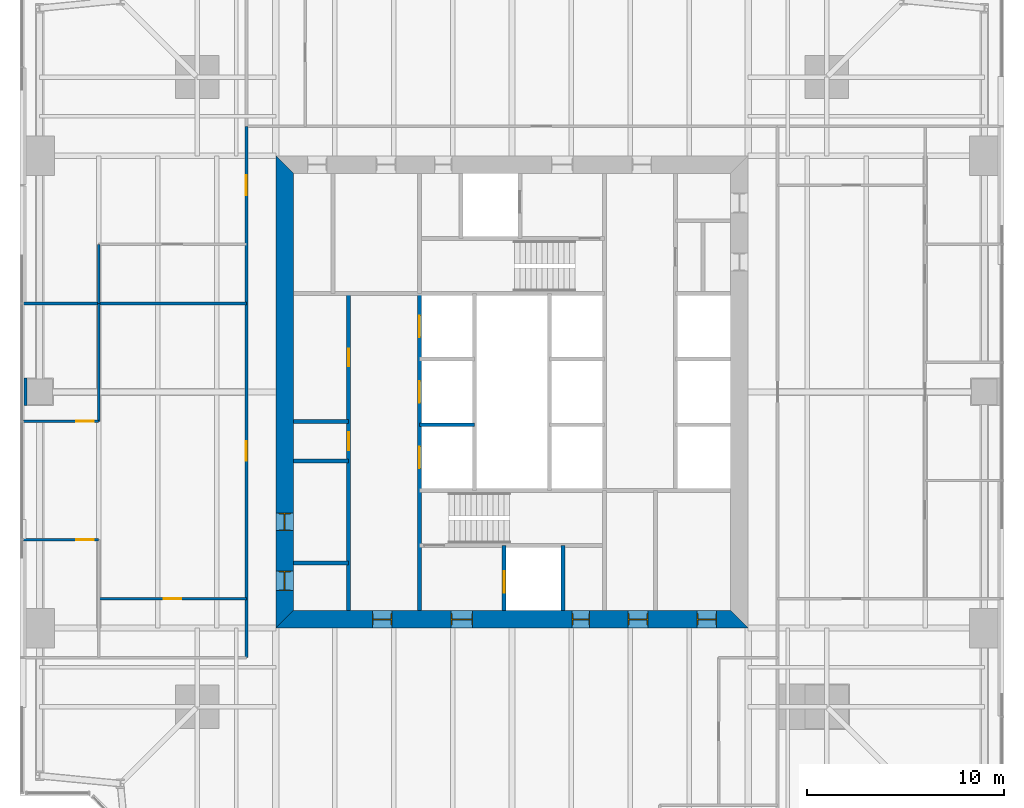
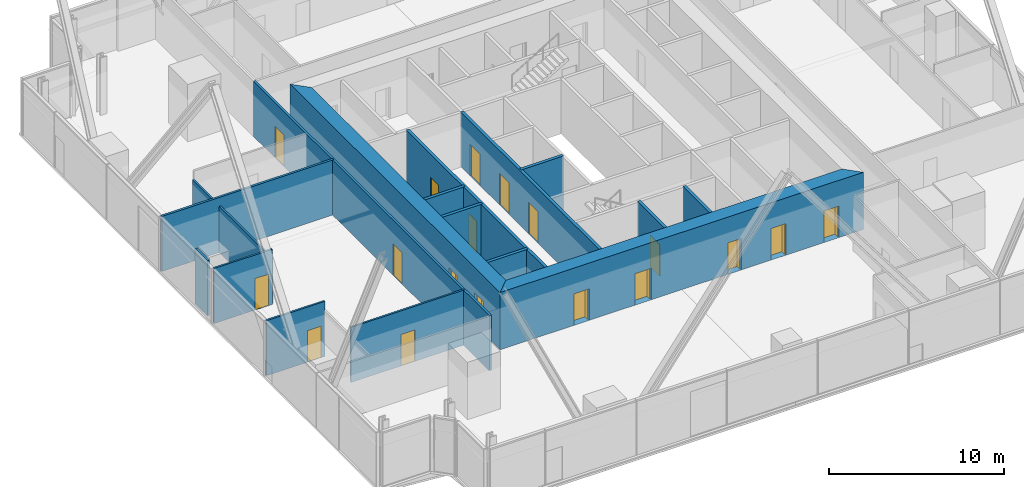
# One storey, part 9 of 14: 18 doors, 18 walls, 18 openings.
"""IFC4 building model written with IfcOpenShell, lengths in metres."""

from ifc_helpers import new_model, si_unit, direction, frame, frame_2d, origin, place, context, subcontext, project, spatial, polyline, rectangle, outline, extrude, material, layer, layer_set, type_object, element, fill, save


model = new_model("IFC4")

# Units and contexts
model_context = context("Model", 3, precision=1e-05, world=origin(), true_north=direction((0.0, 1.0)))
body_context = subcontext(model_context, "Body", "Model", "MODEL_VIEW")
ifc_project = project(units=[si_unit("LENGTHUNIT", "METRE"), si_unit("AREAUNIT", "SQUARE_METRE"), si_unit("VOLUMEUNIT", "CUBIC_METRE"), si_unit("PLANEANGLEUNIT", "RADIAN"), si_unit("MASSUNIT", "GRAM", prefix="KILO")], contexts=[model_context])

# Site, building, storey
site_placement = place(None, origin())
site = spatial("IfcSite", under=ifc_project, at=site_placement, CompositionType="ELEMENT")
building_placement = place(site_placement, origin())
building = spatial("IfcBuilding", under=site, at=building_placement, Name="Fenwick Lantern Interchange", CompositionType="ELEMENT")
storey_placement = place(building_placement, frame((0.0, 0.0, 130.39990234375)))
storey = spatial("IfcBuildingStorey", under=building, at=storey_placement, Name="L30", CompositionType="ELEMENT", Elevation=130.39990234375)

# Wall
ifc_material_1 = material(Name="Fire-rated gypsum board encasement on steel studs, 2 hour", Category="steel")
ifc_layer_1 = layer(ifc_material_1, 1.39990234375)
ifc_layer_set_1 = layer_set([ifc_layer_1], Name="COLUMN PIER 1400")
wall_type_1 = type_object("IfcWallType", Name="COLUMN PIER 1400", PredefinedType="PARTITIONING", material=ifc_layer_set_1)
wall_1_placement = place(storey_placement, frame((0.199951171875, 25.0, 0.0), z_axis=(0.0, 0.0, 1.0), x_axis=(1.0, 0.0, 0.0)))
element("IfcWall", 1, at=wall_1_placement, inside=storey, type_object=wall_type_1, Name="L30/W/PIER/CW3", PredefinedType="PARTITIONING", context=body_context, shape_type="SweptSolid", body=[
    extrude(rectangle(XDim=0.150146484375, YDim=1.39990234375, at=frame_2d((0.0751953125, 0.0))), origin(), (0.0, 0.0, 1.0), 3.85009765625),
])

# Wall, openings, doors
ifc_material_2 = material(Name="Concrete masonry ASTM C90 Grade N", Category="masonry")
ifc_layer_2 = layer(ifc_material_2, 0.199951171875)
ifc_layer_set_2 = layer_set([ifc_layer_2], Name="Concrete masonry ASTM C90 Grade N")
wall_type_2 = type_object("IfcWallType", Name="CORE PARTITION 200", PredefinedType="PARTITIONING", material=ifc_layer_set_2)
wall_2_placement = place(storey_placement, frame((16.699951171875, 13.89990234375, 0.0), z_axis=(0.0, 0.0, 1.0), x_axis=(0.0, 1.0, 0.0)))
wall_2 = element("IfcWall", 2, at=wall_2_placement, inside=storey, type_object=wall_type_2, Name="L30/W/CORES/a", PredefinedType="PARTITIONING", context=body_context, shape_type="SweptSolid", body=[
    extrude(rectangle(XDim=16.10009765625, YDim=0.199951171875, at=frame_2d((8.050048828125, 0.0))), origin(), (0.0, 0.0, 1.0), 3.800048828125),
])
opening_1_placement = place(wall_2_placement, frame((8.14990234375, 0.0, 0.0)))
opening_1 = element("IfcOpeningElement", 3, at=opening_1_placement, cuts=wall_2, Name="Opening L30-D009", PredefinedType="OPENING", context=body_context, shape_type="SweptSolid", body=[
    extrude(rectangle(XDim=0.89990234375, YDim=2.199951171875, at=frame_2d((0.449951171875, 1.10009765625))), frame((0.0, 0.10986328125, 0.0), z_axis=(0.0, -1.0, 0.0), x_axis=(1.0, 0.0, 0.0)), (0.0, 0.0, 1.0), 0.219970703125),
])
opening_2_placement = place(wall_2_placement, frame((12.39990234375, 0.0, 0.0)))
opening_2 = element("IfcOpeningElement", 4, at=opening_2_placement, cuts=wall_2, Name="Opening L30-D010", PredefinedType="OPENING", context=body_context, shape_type="SweptSolid", body=[
    extrude(rectangle(XDim=0.89990234375, YDim=2.199951171875, at=frame_2d((0.449951171875, 1.10009765625))), frame((0.0, 0.10986328125, 0.0), z_axis=(0.0, -1.0, 0.0), x_axis=(1.0, 0.0, 0.0)), (0.0, 0.0, 1.0), 0.219970703125),
])
ifc_material_3 = material(Name="Steel door and frame", Category="steel")
door_type_1 = type_object("IfcDoorType", Name="SERVICE DOOR 900 X 2200", OperationType="SINGLE_SWING_LEFT", PredefinedType="DOOR", material=ifc_material_3)
door_1_placement = place(opening_1_placement, origin())
door_1 = element("IfcDoor", 5, at=door_1_placement, inside=storey, type_object=door_type_1, Name="Service door", OperationType="SINGLE_SWING_LEFT", OverallHeight=2.199951171875, OverallWidth=0.89990234375, PredefinedType="DOOR", context=body_context, shape_type="SweptSolid", body=[
    extrude(rectangle(XDim=0.89990234375, YDim=2.199951171875, at=frame_2d((0.449951171875, 1.10009765625))), frame((0.0, 0.02490234375, 0.0), z_axis=(0.0, -1.0, 0.0), x_axis=(1.0, 0.0, 0.0)), (0.0, 0.0, 1.0), 0.050048828125),
])
fill(opening_1, door_1)
door_2_placement = place(opening_2_placement, origin())
door_2 = element("IfcDoor", 6, at=door_2_placement, inside=storey, type_object=door_type_1, Name="Service door", OperationType="SINGLE_SWING_LEFT", OverallHeight=2.199951171875, OverallWidth=0.89990234375, PredefinedType="DOOR", context=body_context, shape_type="SweptSolid", body=[
    extrude(rectangle(XDim=0.89990234375, YDim=2.199951171875, at=frame_2d((0.449951171875, 1.10009765625))), frame((0.0, 0.02490234375, 0.0), z_axis=(0.0, -1.0, 0.0), x_axis=(1.0, 0.0, 0.0)), (0.0, 0.0, 1.0), 0.050048828125),
])
fill(opening_2, door_2)

# Wall
wall_3_placement = place(storey_placement, frame((20.300048828125, 23.333251953125, 0.0), z_axis=(0.0, 0.0, 1.0), x_axis=(1.0, 0.0, 0.0)))
element("IfcWall", 7, at=wall_3_placement, inside=storey, type_object=wall_type_2, Name="L30/W/CORES/e1", PredefinedType="PARTITIONING", context=body_context, shape_type="SweptSolid", body=[
    extrude(rectangle(XDim=2.800048828125, YDim=0.199951171875, at=frame_2d((1.39990234375, 0.0))), origin(), (0.0, 0.0, 1.0), 3.800048828125),
])

# Wall, opening, door
wall_4_placement = place(storey_placement, frame((24.60009765625, 13.89990234375, 0.0), z_axis=(0.0, 0.0, 1.0), x_axis=(0.0, 1.0, 0.0)))
wall_4 = element("IfcWall", 8, at=wall_4_placement, inside=storey, type_object=wall_type_2, Name="L30/W/CORES/h1", PredefinedType="PARTITIONING", context=body_context, shape_type="SweptSolid", body=[
    extrude(rectangle(XDim=3.300048828125, YDim=0.199951171875, at=frame_2d((1.64990234375, 0.0))), origin(), (0.0, 0.0, 1.0), 3.800048828125),
])
opening_3_placement = place(wall_4_placement, frame((0.89990234375, 0.0, 0.0)))
opening_3 = element("IfcOpeningElement", 9, at=opening_3_placement, cuts=wall_4, Name="Opening LD-FL1", PredefinedType="OPENING", context=body_context, shape_type="SweptSolid", body=[
    extrude(rectangle(XDim=1.10009765625, YDim=2.199951171875, at=frame_2d((0.550048828125, 1.10009765625))), frame((0.0, 0.10986328125, 0.0), z_axis=(0.0, -1.0, 0.0), x_axis=(1.0, 0.0, 0.0)), (0.0, 0.0, 1.0), 0.219970703125),
])
door_type_2 = type_object("IfcDoorType", Name="LIFT LANDING DOOR 1100 X 2200", OperationType="DOUBLE_DOOR_SLIDING", PredefinedType="DOOR", material=ifc_material_3)
door_3_placement = place(opening_3_placement, origin())
door_3 = element("IfcDoor", 10, at=door_3_placement, inside=storey, type_object=door_type_2, Name="Lift landing door FL1", OperationType="DOUBLE_DOOR_SLIDING", OverallHeight=2.199951171875, OverallWidth=1.10009765625, PredefinedType="DOOR", context=body_context, shape_type="SweptSolid", body=[
    extrude(rectangle(XDim=1.10009765625, YDim=2.199951171875, at=frame_2d((0.550048828125, 1.10009765625))), frame((0.0, 0.02490234375, 0.0), z_axis=(0.0, -1.0, 0.0), x_axis=(1.0, 0.0, 0.0)), (0.0, 0.0, 1.0), 0.050048828125),
])
fill(opening_3, door_3)

# Walls
wall_5_placement = place(storey_placement, frame((27.60009765625, 13.89990234375, 0.0), z_axis=(0.0, 0.0, 1.0), x_axis=(0.0, 1.0, 0.0)))
element("IfcWall", 11, at=wall_5_placement, inside=storey, type_object=wall_type_2, Name="L30/W/CORES/h2", PredefinedType="PARTITIONING", context=body_context, shape_type="SweptSolid", body=[
    extrude(rectangle(XDim=3.300048828125, YDim=0.199951171875, at=frame_2d((1.64990234375, 0.0))), origin(), (0.0, 0.0, 1.0), 3.800048828125),
])
for number, where, z_axis, x_axis, name in (
    (12, (13.89990234375, 16.300048828125, 0.0), (0.0, 0.0, 1.0), (1.0, 0.0, 0.0), "L30/W/CORES/p1"),
    (13, (13.89990234375, 21.5, 0.0), (0.0, 0.0, 1.0), (1.0, 0.0, 0.0), "L30/W/CORES/p2"),
    (14, (13.89990234375, 23.5, 0.0), (0.0, 0.0, 1.0), (1.0, 0.0, 0.0), "L30/W/CORES/p3"),
):
    element("IfcWall", number, at=place(storey_placement, frame(where, z_axis=z_axis, x_axis=x_axis)), inside=storey, type_object=wall_type_2, Name=name, PredefinedType="PARTITIONING", context=body_context, shape_type="SweptSolid", body=[
        extrude(rectangle(XDim=2.800048828125, YDim=0.199951171875, at=frame_2d((1.39990234375, 0.0))), origin(), (0.0, 0.0, 1.0), 3.800048828125),
    ])

# Wall, openings, doors
ifc_material_4 = material(Name="Concrete f'c 70 MPa", Category="concrete")
ifc_layer_3 = layer(ifc_material_4, 0.89990234375)
ifc_layer_set_3 = layer_set([ifc_layer_3], Name="CORE WALL 900")
wall_type_3 = type_object("IfcWallType", Name="CORE WALL 900", PredefinedType="SHEAR", material=ifc_layer_set_3)
wall_6_placement = place(storey_placement, frame((13.0, 13.449951171875, 0.0), z_axis=(0.0, 0.0, 1.0), x_axis=(1.0, 0.0, 0.0)))
wall_6 = element("IfcWall", 15, at=wall_6_placement, inside=storey, type_object=wall_type_3, Name="L30/CORE/S", PredefinedType="SHEAR", context=body_context, shape_type="SweptSolid", body=[
    extrude(outline(polyline([(0.0, -0.449951171875), (24.0, -0.449951171875), (23.10009765625, 0.449951171875), (0.89990234375, 0.449951171875), (0.0, -0.449951171875)])), origin(), (0.0, 0.0, 1.0), 4.0),
])
opening_4_placement = place(wall_6_placement, frame((4.89990234375, 0.0, 0.0)))
opening_4 = element("IfcOpeningElement", 16, at=opening_4_placement, cuts=wall_6, Name="Opening L30-D001", PredefinedType="OPENING", context=body_context, shape_type="SweptSolid", body=[
    extrude(rectangle(XDim=1.0, YDim=2.199951171875, at=frame_2d((0.5, 1.10009765625))), frame((0.0, 0.4599609375, 0.0), z_axis=(0.0, -1.0, 0.0), x_axis=(1.0, 0.0, 0.0)), (0.0, 0.0, 1.0), 0.919921875),
])
opening_5_placement = place(wall_6_placement, frame((8.89990234375, 0.0, 0.0)))
opening_5 = element("IfcOpeningElement", 17, at=opening_5_placement, cuts=wall_6, Name="Opening L30-D002", PredefinedType="OPENING", context=body_context, shape_type="SweptSolid", body=[
    extrude(rectangle(XDim=1.10009765625, YDim=2.199951171875, at=frame_2d((0.550048828125, 1.10009765625))), frame((0.0, 0.4599609375, 0.0), z_axis=(0.0, -1.0, 0.0), x_axis=(1.0, 0.0, 0.0)), (0.0, 0.0, 1.0), 0.919921875),
])
opening_6_placement = place(wall_6_placement, frame((15.050048828125, 0.0, 0.0)))
opening_6 = element("IfcOpeningElement", 18, at=opening_6_placement, cuts=wall_6, Name="Opening L30-D004", PredefinedType="OPENING", context=body_context, shape_type="SweptSolid", body=[
    extrude(rectangle(XDim=0.89990234375, YDim=2.199951171875, at=frame_2d((0.449951171875, 1.10009765625))), frame((0.0, 0.4599609375, 0.0), z_axis=(0.0, -1.0, 0.0), x_axis=(1.0, 0.0, 0.0)), (0.0, 0.0, 1.0), 0.919921875),
])
opening_7_placement = place(wall_6_placement, frame((17.89990234375, 0.0, 0.0)))
opening_7 = element("IfcOpeningElement", 19, at=opening_7_placement, cuts=wall_6, Name="Opening L30-D005", PredefinedType="OPENING", context=body_context, shape_type="SweptSolid", body=[
    extrude(rectangle(XDim=1.0, YDim=2.199951171875, at=frame_2d((0.5, 1.10009765625))), frame((0.0, 0.4599609375, 0.0), z_axis=(0.0, -1.0, 0.0), x_axis=(1.0, 0.0, 0.0)), (0.0, 0.0, 1.0), 0.919921875),
])
opening_8_placement = place(wall_6_placement, frame((21.39990234375, 0.0, 0.0)))
opening_8 = element("IfcOpeningElement", 20, at=opening_8_placement, cuts=wall_6, Name="Opening L30-D006", PredefinedType="OPENING", context=body_context, shape_type="SweptSolid", body=[
    extrude(rectangle(XDim=1.0, YDim=2.199951171875, at=frame_2d((0.5, 1.10009765625))), frame((0.0, 0.4599609375, 0.0), z_axis=(0.0, -1.0, 0.0), x_axis=(1.0, 0.0, 0.0)), (0.0, 0.0, 1.0), 0.919921875),
])
door_type_3 = type_object("IfcDoorType", Name="CORE LOBBY DOOR 1000 X 2200", OperationType="SINGLE_SWING_LEFT", PredefinedType="DOOR", material=ifc_material_3)
door_4_placement = place(opening_4_placement, origin())
door_4 = element("IfcDoor", 21, at=door_4_placement, inside=storey, type_object=door_type_3, Name="Core lobby door", OperationType="SINGLE_SWING_LEFT", OverallHeight=2.199951171875, OverallWidth=1.0, PredefinedType="DOOR", context=body_context, shape_type="SweptSolid", body=[
    extrude(rectangle(XDim=1.0, YDim=2.199951171875, at=frame_2d((0.5, 1.10009765625))), frame((0.0, 0.02490234375, 0.0), z_axis=(0.0, -1.0, 0.0), x_axis=(1.0, 0.0, 0.0)), (0.0, 0.0, 1.0), 0.050048828125),
    extrude(outline(polyline([(0.0, 0.0), (0.0400390625, 0.0), (0.0400390625, 2.159912109375), (0.9599609375, 2.159912109375), (0.9599609375, 0.0), (1.0, 0.0), (1.0, 2.199951171875), (0.0, 2.199951171875), (0.0, 0.0)])), frame((0.0, 0.300048828125, 0.0), z_axis=(0.0, -1.0, 0.0), x_axis=(1.0, 0.0, 0.0)), (0.0, 0.0, 1.0), 0.60009765625),
])
fill(opening_4, door_4)
door_type_4 = type_object("IfcDoorType", Name="FIRE LOBBY DOOR 1100 X 2200", OperationType="SINGLE_SWING_LEFT", PredefinedType="DOOR", material=ifc_material_3)
door_5_placement = place(opening_5_placement, origin())
door_5 = element("IfcDoor", 22, at=door_5_placement, inside=storey, type_object=door_type_4, Name="Fire lobby door", OperationType="SINGLE_SWING_LEFT", OverallHeight=2.199951171875, OverallWidth=1.10009765625, PredefinedType="DOOR", context=body_context, shape_type="SweptSolid", body=[
    extrude(rectangle(XDim=1.10009765625, YDim=2.199951171875, at=frame_2d((0.550048828125, 1.10009765625))), frame((0.0, 0.02490234375, 0.0), z_axis=(0.0, -1.0, 0.0), x_axis=(1.0, 0.0, 0.0)), (0.0, 0.0, 1.0), 0.050048828125),
    extrude(outline(polyline([(0.0, 0.0), (0.0400390625, 0.0), (0.0400390625, 2.159912109375), (1.06005859375, 2.159912109375), (1.06005859375, 0.0), (1.10009765625, 0.0), (1.10009765625, 2.199951171875), (0.0, 2.199951171875), (0.0, 0.0)])), frame((0.0, 0.300048828125, 0.0), z_axis=(0.0, -1.0, 0.0), x_axis=(1.0, 0.0, 0.0)), (0.0, 0.0, 1.0), 0.60009765625),
])
fill(opening_5, door_5)
door_6_placement = place(opening_6_placement, origin())
door_6 = element("IfcDoor", 23, at=door_6_placement, inside=storey, type_object=door_type_1, Name="Service door", OperationType="SINGLE_SWING_LEFT", OverallHeight=2.199951171875, OverallWidth=0.89990234375, PredefinedType="DOOR", context=body_context, shape_type="SweptSolid", body=[
    extrude(rectangle(XDim=0.89990234375, YDim=2.199951171875, at=frame_2d((0.449951171875, 1.10009765625))), frame((0.0, 0.02490234375, 0.0), z_axis=(0.0, -1.0, 0.0), x_axis=(1.0, 0.0, 0.0)), (0.0, 0.0, 1.0), 0.050048828125),
    extrude(outline(polyline([(0.0, 0.0), (0.0400390625, 0.0), (0.0400390625, 2.159912109375), (0.85986328125, 2.159912109375), (0.85986328125, 0.0), (0.89990234375, 0.0), (0.89990234375, 2.199951171875), (0.0, 2.199951171875), (0.0, 0.0)])), frame((0.0, 0.300048828125, 0.0), z_axis=(0.0, -1.0, 0.0), x_axis=(1.0, 0.0, 0.0)), (0.0, 0.0, 1.0), 0.60009765625),
])
fill(opening_6, door_6)
ifc_material_5 = material(Name="Hardwood door and steel frame", Category="steel")
door_type_5 = type_object("IfcDoorType", Name="WC DOOR 1000 X 2200", OperationType="SINGLE_SWING_LEFT", PredefinedType="DOOR", material=ifc_material_5)
door_7_placement = place(opening_7_placement, origin())
door_7 = element("IfcDoor", 24, at=door_7_placement, inside=storey, type_object=door_type_5, Name="Wc door", OperationType="SINGLE_SWING_RIGHT", OverallHeight=2.199951171875, OverallWidth=1.0, PredefinedType="DOOR", context=body_context, shape_type="SweptSolid", body=[
    extrude(rectangle(XDim=1.0, YDim=2.199951171875, at=frame_2d((0.5, 1.10009765625))), frame((0.0, 0.02490234375, 0.0), z_axis=(0.0, -1.0, 0.0), x_axis=(1.0, 0.0, 0.0)), (0.0, 0.0, 1.0), 0.050048828125),
    extrude(outline(polyline([(0.0, 0.0), (0.0400390625, 0.0), (0.0400390625, 2.159912109375), (0.9599609375, 2.159912109375), (0.9599609375, 0.0), (1.0, 0.0), (1.0, 2.199951171875), (0.0, 2.199951171875), (0.0, 0.0)])), frame((0.0, 0.300048828125, 0.0), z_axis=(0.0, -1.0, 0.0), x_axis=(1.0, 0.0, 0.0)), (0.0, 0.0, 1.0), 0.60009765625),
])
fill(opening_7, door_7)
door_8_placement = place(opening_8_placement, origin())
door_8 = element("IfcDoor", 25, at=door_8_placement, inside=storey, type_object=door_type_5, Name="Wc door", OperationType="SINGLE_SWING_RIGHT", OverallHeight=2.199951171875, OverallWidth=1.0, PredefinedType="DOOR", context=body_context, shape_type="SweptSolid", body=[
    extrude(rectangle(XDim=1.0, YDim=2.199951171875, at=frame_2d((0.5, 1.10009765625))), frame((0.0, 0.02490234375, 0.0), z_axis=(0.0, -1.0, 0.0), x_axis=(1.0, 0.0, 0.0)), (0.0, 0.0, 1.0), 0.050048828125),
    extrude(outline(polyline([(0.0, 0.0), (0.0400390625, 0.0), (0.0400390625, 2.159912109375), (0.9599609375, 2.159912109375), (0.9599609375, 0.0), (1.0, 0.0), (1.0, 2.199951171875), (0.0, 2.199951171875), (0.0, 0.0)])), frame((0.0, 0.300048828125, 0.0), z_axis=(0.0, -1.0, 0.0), x_axis=(1.0, 0.0, 0.0)), (0.0, 0.0, 1.0), 0.60009765625),
])
fill(opening_8, door_8)

wall_7_placement = place(storey_placement, frame((13.449951171875, 36.10009765625, 0.0), z_axis=(0.0, 0.0, 1.0), x_axis=(0.0, -1.0, 0.0)))
wall_7 = element("IfcWall", 26, at=wall_7_placement, inside=storey, type_object=wall_type_3, Name="L30/CORE/W", PredefinedType="SHEAR", context=body_context, shape_type="SweptSolid", body=[
    extrude(outline(polyline([(-0.89990234375, -0.449951171875), (23.10009765625, -0.449951171875), (22.199951171875, 0.449951171875), (0.0, 0.449951171875), (-0.89990234375, -0.449951171875)])), origin(), (0.0, 0.0, 1.0), 4.0),
])
opening_9_placement = place(wall_7_placement, frame((20.199951171875, 0.0, 0.0)))
opening_9 = element("IfcOpeningElement", 27, at=opening_9_placement, cuts=wall_7, Name="Opening L30-D007", PredefinedType="OPENING", context=body_context, shape_type="SweptSolid", body=[
    extrude(rectangle(XDim=1.0, YDim=2.199951171875, at=frame_2d((0.5, 1.10009765625))), frame((0.0, 0.4599609375, 0.0), z_axis=(0.0, -1.0, 0.0), x_axis=(1.0, 0.0, 0.0)), (0.0, 0.0, 1.0), 0.919921875),
])
opening_10_placement = place(wall_7_placement, frame((17.25, 0.0, 0.0)))
opening_10 = element("IfcOpeningElement", 28, at=opening_10_placement, cuts=wall_7, Name="Opening L30-D008", PredefinedType="OPENING", context=body_context, shape_type="SweptSolid", body=[
    extrude(rectangle(XDim=0.89990234375, YDim=2.199951171875, at=frame_2d((0.449951171875, 1.10009765625))), frame((0.0, 0.4599609375, 0.0), z_axis=(0.0, -1.0, 0.0), x_axis=(1.0, 0.0, 0.0)), (0.0, 0.0, 1.0), 0.919921875),
])
door_9_placement = place(opening_10_placement, origin())
door_9 = element("IfcDoor", 29, at=door_9_placement, inside=storey, type_object=door_type_1, Name="Service door", OperationType="SINGLE_SWING_RIGHT", OverallHeight=2.199951171875, OverallWidth=0.89990234375, PredefinedType="DOOR", context=body_context, shape_type="SweptSolid", body=[
    extrude(rectangle(XDim=0.89990234375, YDim=2.199951171875, at=frame_2d((0.449951171875, 1.10009765625))), frame((0.0, 0.02490234375, 0.0), z_axis=(0.0, -1.0, 0.0), x_axis=(1.0, 0.0, 0.0)), (0.0, 0.0, 1.0), 0.050048828125),
    extrude(outline(polyline([(0.0, 0.0), (0.0400390625, 0.0), (0.0400390625, 2.159912109375), (0.85986328125, 2.159912109375), (0.85986328125, 0.0), (0.89990234375, 0.0), (0.89990234375, 2.199951171875), (0.0, 2.199951171875), (0.0, 0.0)])), frame((0.0, 0.300048828125, 0.0), z_axis=(0.0, -1.0, 0.0), x_axis=(1.0, 0.0, 0.0)), (0.0, 0.0, 1.0), 0.60009765625),
])
fill(opening_10, door_9)
door_10_placement = place(opening_9_placement, origin())
door_10 = element("IfcDoor", 30, at=door_10_placement, inside=storey, type_object=door_type_5, Name="Wc door", OperationType="SINGLE_SWING_LEFT", OverallHeight=2.199951171875, OverallWidth=1.0, PredefinedType="DOOR", context=body_context, shape_type="SweptSolid", body=[
    extrude(rectangle(XDim=1.0, YDim=2.199951171875, at=frame_2d((0.5, 1.10009765625))), frame((0.0, 0.02490234375, 0.0), z_axis=(0.0, -1.0, 0.0), x_axis=(1.0, 0.0, 0.0)), (0.0, 0.0, 1.0), 0.050048828125),
    extrude(outline(polyline([(0.0, 0.0), (0.0400390625, 0.0), (0.0400390625, 2.159912109375), (0.9599609375, 2.159912109375), (0.9599609375, 0.0), (1.0, 0.0), (1.0, 2.199951171875), (0.0, 2.199951171875), (0.0, 0.0)])), frame((0.0, 0.300048828125, 0.0), z_axis=(0.0, -1.0, 0.0), x_axis=(1.0, 0.0, 0.0)), (0.0, 0.0, 1.0), 0.60009765625),
])
fill(opening_9, door_10)

ifc_material_6 = material(Name="Gypsum board on steel studs, 1 hour", Category="steel")
ifc_layer_4 = layer(ifc_material_6, 0.14990234375)
ifc_layer_set_4 = layer_set([ifc_layer_4], Name="CORRIDOR WALL 150")
wall_type_4 = type_object("IfcWallType", Name="CORRIDOR WALL 150", PredefinedType="PARTITIONING", material=ifc_layer_set_4)
wall_8_placement = place(storey_placement, frame((11.5, 38.5, 0.0), z_axis=(0.0, 0.0, 1.0), x_axis=(0.0, -1.0, 0.0)))
wall_8 = element("IfcWall", 31, at=wall_8_placement, inside=storey, type_object=wall_type_4, Name="L30/W/OFF/W/CW", PredefinedType="PARTITIONING", context=body_context, shape_type="SweptSolid", body=[
    extrude(rectangle(XDim=27.0, YDim=0.14990234375, at=frame_2d((13.5, 0.0))), origin(), (0.0, 0.0, 1.0), 3.85009765625),
])
opening_11_placement = place(wall_8_placement, frame((2.5, 0.0, 0.0)))
opening_11 = element("IfcOpeningElement", 32, at=opening_11_placement, cuts=wall_8, Name="Opening L30-D035", PredefinedType="OPENING", context=body_context, shape_type="SweptSolid", body=[
    extrude(rectangle(XDim=1.0, YDim=2.199951171875, at=frame_2d((0.5, 1.10009765625))), frame((0.0, 0.0849609375, 0.0), z_axis=(0.0, -1.0, 0.0), x_axis=(1.0, 0.0, 0.0)), (0.0, 0.0, 1.0), 0.169921875),
])
opening_12_placement = place(wall_8_placement, frame((16.0, 0.0, 0.0)))
opening_12 = element("IfcOpeningElement", 33, at=opening_12_placement, cuts=wall_8, Name="Opening L30-D037", PredefinedType="OPENING", context=body_context, shape_type="SweptSolid", body=[
    extrude(rectangle(XDim=1.0, YDim=2.199951171875, at=frame_2d((0.5, 1.10009765625))), frame((0.0, 0.0849609375, 0.0), z_axis=(0.0, -1.0, 0.0), x_axis=(1.0, 0.0, 0.0)), (0.0, 0.0, 1.0), 0.169921875),
])
door_type_6 = type_object("IfcDoorType", Name="SUITE ENTRANCE DOOR 1000 X 2200", OperationType="SINGLE_SWING_LEFT", PredefinedType="DOOR", material=ifc_material_3)
door_11_placement = place(opening_11_placement, frame((1.0, 0.0, 0.0), z_axis=(0.0, 0.0, 1.0), x_axis=(-1.0, 0.0, 0.0)))
door_11 = element("IfcDoor", 34, at=door_11_placement, inside=storey, type_object=door_type_6, Name="Suite entrance door", OperationType="SINGLE_SWING_LEFT", OverallHeight=2.199951171875, OverallWidth=1.0, PredefinedType="DOOR", context=body_context, shape_type="SweptSolid", body=[
    extrude(rectangle(XDim=1.0, YDim=2.199951171875, at=frame_2d((0.5, 1.10009765625))), frame((0.0, 0.02490234375, 0.0), z_axis=(0.0, -1.0, 0.0), x_axis=(1.0, 0.0, 0.0)), (0.0, 0.0, 1.0), 0.050048828125),
])
fill(opening_11, door_11)
door_12_placement = place(opening_12_placement, frame((1.0, 0.0, 0.0), z_axis=(0.0, 0.0, 1.0), x_axis=(-1.0, 0.0, 0.0)))
door_12 = element("IfcDoor", 35, at=door_12_placement, inside=storey, type_object=door_type_6, Name="Suite entrance door", OperationType="SINGLE_SWING_RIGHT", OverallHeight=2.199951171875, OverallWidth=1.0, PredefinedType="DOOR", context=body_context, shape_type="SweptSolid", body=[
    extrude(rectangle(XDim=1.0, YDim=2.199951171875, at=frame_2d((0.5, 1.10009765625))), frame((0.0, 0.02490234375, 0.0), z_axis=(0.0, -1.0, 0.0), x_axis=(1.0, 0.0, 0.0)), (0.0, 0.0, 1.0), 0.050048828125),
])
fill(opening_12, door_12)

# Wall, opening, door
ifc_material_7 = material(Name="Gypsum board on steel studs, acoustic", Category="steel")
ifc_layer_5 = layer(ifc_material_7, 0.125)
ifc_layer_set_5 = layer_set([ifc_layer_5], Name="OFFICE PARTITION 125")
wall_type_5 = type_object("IfcWallType", Name="OFFICE PARTITION 125", PredefinedType="PARTITIONING", material=ifc_layer_set_5)
wall_9_placement = place(storey_placement, frame((0.14990234375, 23.5, 0.0), z_axis=(0.0, 0.0, 1.0), x_axis=(1.0, 0.0, 0.0)))
wall_9 = element("IfcWall", 36, at=wall_9_placement, inside=storey, type_object=wall_type_5, Name="L30/W/OFF/W/X265-1", PredefinedType="PARTITIONING", context=body_context, shape_type="SweptSolid", body=[
    extrude(rectangle(XDim=3.85009765625, YDim=0.125, at=frame_2d((1.925048828125, 0.0))), origin(), (0.0, 0.0, 1.0), 3.85009765625),
])
opening_13_placement = place(wall_9_placement, frame((2.699951171875, 0.0, 0.0)))
opening_13 = element("IfcOpeningElement", 37, at=opening_13_placement, cuts=wall_9, Name="Opening L30-D038", PredefinedType="OPENING", context=body_context, shape_type="SweptSolid", body=[
    extrude(rectangle(XDim=0.89990234375, YDim=2.199951171875, at=frame_2d((0.449951171875, 1.10009765625))), frame((0.0, 0.072509765625, 0.0), z_axis=(0.0, -1.0, 0.0), x_axis=(1.0, 0.0, 0.0)), (0.0, 0.0, 1.0), 0.14501953125),
])
door_type_7 = type_object("IfcDoorType", Name="OFFICE DOOR 900 X 2200", OperationType="SINGLE_SWING_LEFT", PredefinedType="DOOR", material=ifc_material_5)
door_13_placement = place(opening_13_placement, origin())
door_13 = element("IfcDoor", 38, at=door_13_placement, inside=storey, type_object=door_type_7, Name="Office door", OperationType="SINGLE_SWING_RIGHT", OverallHeight=2.199951171875, OverallWidth=0.89990234375, PredefinedType="DOOR", context=body_context, shape_type="SweptSolid", body=[
    extrude(rectangle(XDim=0.89990234375, YDim=2.199951171875, at=frame_2d((0.449951171875, 1.10009765625))), frame((0.0, 0.02490234375, 0.0), z_axis=(0.0, -1.0, 0.0), x_axis=(1.0, 0.0, 0.0)), (0.0, 0.0, 1.0), 0.050048828125),
])
fill(opening_13, door_13)

wall_10_placement = place(storey_placement, frame((0.14990234375, 17.5, 0.0), z_axis=(0.0, 0.0, 1.0), x_axis=(1.0, 0.0, 0.0)))
wall_10 = element("IfcWall", 39, at=wall_10_placement, inside=storey, type_object=wall_type_5, Name="L30/W/OFF/W/X325-1", PredefinedType="PARTITIONING", context=body_context, shape_type="SweptSolid", body=[
    extrude(rectangle(XDim=3.85009765625, YDim=0.125, at=frame_2d((1.925048828125, 0.0))), origin(), (0.0, 0.0, 1.0), 3.85009765625),
])
opening_14_placement = place(wall_10_placement, frame((2.699951171875, 0.0, 0.0)))
opening_14 = element("IfcOpeningElement", 40, at=opening_14_placement, cuts=wall_10, Name="Opening L30-D039", PredefinedType="OPENING", context=body_context, shape_type="SweptSolid", body=[
    extrude(rectangle(XDim=0.89990234375, YDim=2.199951171875, at=frame_2d((0.449951171875, 1.10009765625))), frame((0.0, 0.072509765625, 0.0), z_axis=(0.0, -1.0, 0.0), x_axis=(1.0, 0.0, 0.0)), (0.0, 0.0, 1.0), 0.14501953125),
])
door_14_placement = place(opening_14_placement, frame((0.89990234375, 0.0, 0.0), z_axis=(0.0, 0.0, 1.0), x_axis=(-1.0, 0.0, 0.0)))
door_14 = element("IfcDoor", 41, at=door_14_placement, inside=storey, type_object=door_type_7, Name="Office door", OperationType="SINGLE_SWING_LEFT", OverallHeight=2.199951171875, OverallWidth=0.89990234375, PredefinedType="DOOR", context=body_context, shape_type="SweptSolid", body=[
    extrude(rectangle(XDim=0.89990234375, YDim=2.199951171875, at=frame_2d((0.449951171875, 1.10009765625))), frame((0.0, 0.02490234375, 0.0), z_axis=(0.0, -1.0, 0.0), x_axis=(1.0, 0.0, 0.0)), (0.0, 0.0, 1.0), 0.050048828125),
])
fill(opening_14, door_14)

wall_11_placement = place(storey_placement, frame((4.0, 14.5, 0.0), z_axis=(0.0, 0.0, 1.0), x_axis=(1.0, 0.0, 0.0)))
wall_11 = element("IfcWall", 42, at=wall_11_placement, inside=storey, type_object=wall_type_5, Name="L30/W/OFF/W/X355-1", PredefinedType="PARTITIONING", context=body_context, shape_type="SweptSolid", body=[
    extrude(rectangle(XDim=7.5, YDim=0.125, at=frame_2d((3.75, 0.0))), origin(), (0.0, 0.0, 1.0), 3.85009765625),
])
opening_15_placement = place(wall_11_placement, frame((3.300048828125, 0.0, 0.0)))
opening_15 = element("IfcOpeningElement", 43, at=opening_15_placement, cuts=wall_11, Name="Opening L30-D040", PredefinedType="OPENING", context=body_context, shape_type="SweptSolid", body=[
    extrude(rectangle(XDim=0.89990234375, YDim=2.199951171875, at=frame_2d((0.449951171875, 1.10009765625))), frame((0.0, 0.072509765625, 0.0), z_axis=(0.0, -1.0, 0.0), x_axis=(1.0, 0.0, 0.0)), (0.0, 0.0, 1.0), 0.14501953125),
])
door_15_placement = place(opening_15_placement, frame((0.89990234375, 0.0, 0.0), z_axis=(0.0, 0.0, 1.0), x_axis=(-1.0, 0.0, 0.0)))
door_15 = element("IfcDoor", 44, at=door_15_placement, inside=storey, type_object=door_type_7, Name="Office door", OperationType="SINGLE_SWING_RIGHT", OverallHeight=2.199951171875, OverallWidth=0.89990234375, PredefinedType="DOOR", context=body_context, shape_type="SweptSolid", body=[
    extrude(rectangle(XDim=0.89990234375, YDim=2.199951171875, at=frame_2d((0.449951171875, 1.10009765625))), frame((0.0, 0.02490234375, 0.0), z_axis=(0.0, -1.0, 0.0), x_axis=(1.0, 0.0, 0.0)), (0.0, 0.0, 1.0), 0.050048828125),
])
fill(opening_15, door_15)

# Walls
wall_12_placement = place(storey_placement, frame((4.0, 32.5, 0.0), z_axis=(0.0, 0.0, 1.0), x_axis=(0.0, -1.0, 0.0)))
element("IfcWall", 45, at=wall_12_placement, inside=storey, type_object=wall_type_5, Name="L30/W/OFF/W/Y40-1", PredefinedType="PARTITIONING", context=body_context, shape_type="SweptSolid", body=[
    extrude(rectangle(XDim=3.0, YDim=0.125, at=frame_2d((1.5, 0.0))), origin(), (0.0, 0.0, 1.0), 3.238037109375),
])
wall_13_placement = place(storey_placement, frame((4.0, 29.5, 0.0), z_axis=(0.0, 0.0, 1.0), x_axis=(0.0, -1.0, 0.0)))
element("IfcWall", 46, at=wall_13_placement, inside=storey, type_object=wall_type_5, Name="L30/W/OFF/W/Y40-2", PredefinedType="PARTITIONING", context=body_context, shape_type="SweptSolid", body=[
    extrude(rectangle(XDim=6.0, YDim=0.125, at=frame_2d((3.0, 0.0))), origin(), (0.0, 0.0, 1.0), 3.238037109375),
])

# Wall, openings, doors
ifc_material_8 = material(Name="Concrete f'c 45 MPa", Category="concrete")
ifc_layer_6 = layer(ifc_material_8, 0.199951171875)
ifc_layer_set_6 = layer_set([ifc_layer_6], Name="STAIR CORE WALL 200")
wall_type_6 = type_object("IfcWallType", Name="STAIR CORE WALL 200", PredefinedType="SOLIDWALL", material=ifc_layer_set_6)
wall_14_placement = place(storey_placement, frame((20.300048828125, 13.89990234375, 0.0), z_axis=(0.0, 0.0, 1.0), x_axis=(0.0, 1.0, 0.0)))
wall_14 = element("IfcWall", 47, at=wall_14_placement, inside=storey, type_object=wall_type_6, Name="L30/W/CORES/b", PredefinedType="SOLIDWALL", context=body_context, shape_type="SweptSolid", body=[
    extrude(rectangle(XDim=16.10009765625, YDim=0.199951171875, at=frame_2d((8.050048828125, 0.0))), origin(), (0.0, 0.0, 1.0), 3.800048828125),
])
opening_16_placement = place(wall_14_placement, frame((7.216552734375, 0.0, 0.0)))
opening_16 = element("IfcOpeningElement", 48, at=opening_16_placement, cuts=wall_14, Name="Opening LD-W2-1", PredefinedType="OPENING", context=body_context, shape_type="SweptSolid", body=[
    extrude(rectangle(XDim=1.10009765625, YDim=2.199951171875, at=frame_2d((0.550048828125, 1.10009765625))), frame((0.0, 0.10986328125, 0.0), z_axis=(0.0, -1.0, 0.0), x_axis=(1.0, 0.0, 0.0)), (0.0, 0.0, 1.0), 0.219970703125),
])
opening_17_placement = place(wall_14_placement, frame((10.550048828125, 0.0, 0.0)))
opening_17 = element("IfcOpeningElement", 49, at=opening_17_placement, cuts=wall_14, Name="Opening LD-W2-2", PredefinedType="OPENING", context=body_context, shape_type="SweptSolid", body=[
    extrude(rectangle(XDim=1.10009765625, YDim=2.199951171875, at=frame_2d((0.550048828125, 1.10009765625))), frame((0.0, 0.10986328125, 0.0), z_axis=(0.0, -1.0, 0.0), x_axis=(1.0, 0.0, 0.0)), (0.0, 0.0, 1.0), 0.219970703125),
])
opening_18_placement = place(wall_14_placement, frame((13.88330078125, 0.0, 0.0)))
opening_18 = element("IfcOpeningElement", 50, at=opening_18_placement, cuts=wall_14, Name="Opening LD-W2-3", PredefinedType="OPENING", context=body_context, shape_type="SweptSolid", body=[
    extrude(rectangle(XDim=1.10009765625, YDim=2.199951171875, at=frame_2d((0.550048828125, 1.10009765625))), frame((0.0, 0.10986328125, 0.0), z_axis=(0.0, -1.0, 0.0), x_axis=(1.0, 0.0, 0.0)), (0.0, 0.0, 1.0), 0.219970703125),
])
door_16_placement = place(opening_16_placement, origin())
door_16 = element("IfcDoor", 51, at=door_16_placement, inside=storey, type_object=door_type_2, Name="Lift landing door W2-1", OperationType="DOUBLE_DOOR_SLIDING", OverallHeight=2.199951171875, OverallWidth=1.10009765625, PredefinedType="DOOR", context=body_context, shape_type="SweptSolid", body=[
    extrude(rectangle(XDim=1.10009765625, YDim=2.199951171875, at=frame_2d((0.550048828125, 1.10009765625))), frame((0.0, 0.02490234375, 0.0), z_axis=(0.0, -1.0, 0.0), x_axis=(1.0, 0.0, 0.0)), (0.0, 0.0, 1.0), 0.050048828125),
])
fill(opening_16, door_16)
door_17_placement = place(opening_17_placement, origin())
door_17 = element("IfcDoor", 52, at=door_17_placement, inside=storey, type_object=door_type_2, Name="Lift landing door W2-2", OperationType="DOUBLE_DOOR_SLIDING", OverallHeight=2.199951171875, OverallWidth=1.10009765625, PredefinedType="DOOR", context=body_context, shape_type="SweptSolid", body=[
    extrude(rectangle(XDim=1.10009765625, YDim=2.199951171875, at=frame_2d((0.550048828125, 1.10009765625))), frame((0.0, 0.02490234375, 0.0), z_axis=(0.0, -1.0, 0.0), x_axis=(1.0, 0.0, 0.0)), (0.0, 0.0, 1.0), 0.050048828125),
])
fill(opening_17, door_17)
door_18_placement = place(opening_18_placement, origin())
door_18 = element("IfcDoor", 53, at=door_18_placement, inside=storey, type_object=door_type_2, Name="Lift landing door W2-3", OperationType="DOUBLE_DOOR_SLIDING", OverallHeight=2.199951171875, OverallWidth=1.10009765625, PredefinedType="DOOR", context=body_context, shape_type="SweptSolid", body=[
    extrude(rectangle(XDim=1.10009765625, YDim=2.199951171875, at=frame_2d((0.550048828125, 1.10009765625))), frame((0.0, 0.02490234375, 0.0), z_axis=(0.0, -1.0, 0.0), x_axis=(1.0, 0.0, 0.0)), (0.0, 0.0, 1.0), 0.050048828125),
])
fill(opening_18, door_18)

# Wall
ifc_material_9 = material(Name="Gypsum board on steel studs, 1 hour acoustic", Category="steel")
ifc_layer_7 = layer(ifc_material_9, 0.14990234375)
ifc_layer_set_7 = layer_set([ifc_layer_7], Name="TENANT WALL 150")
wall_type_7 = type_object("IfcWallType", Name="TENANT WALL 150", PredefinedType="PARTITIONING", material=ifc_layer_set_7)
wall_15_placement = place(storey_placement, frame((0.14990234375, 29.5, 0.0), z_axis=(0.0, 0.0, 1.0), x_axis=(1.0, 0.0, 0.0)))
element("IfcWall", 54, at=wall_15_placement, inside=storey, type_object=wall_type_7, Name="L30/W/OFF/W/X205-1", PredefinedType="PARTITIONING", context=body_context, shape_type="SweptSolid", body=[
    extrude(rectangle(XDim=11.35009765625, YDim=0.14990234375, at=frame_2d((5.675048828125, 0.0))), origin(), (0.0, 0.0, 1.0), 3.85009765625),
])

save(model, "model.ifc")
